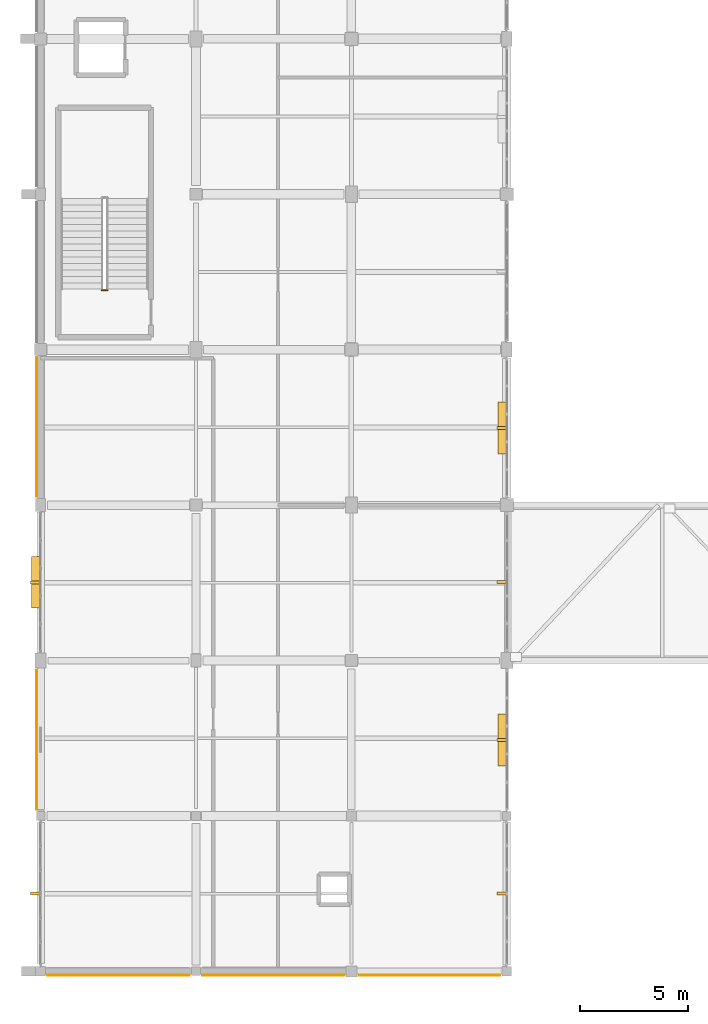
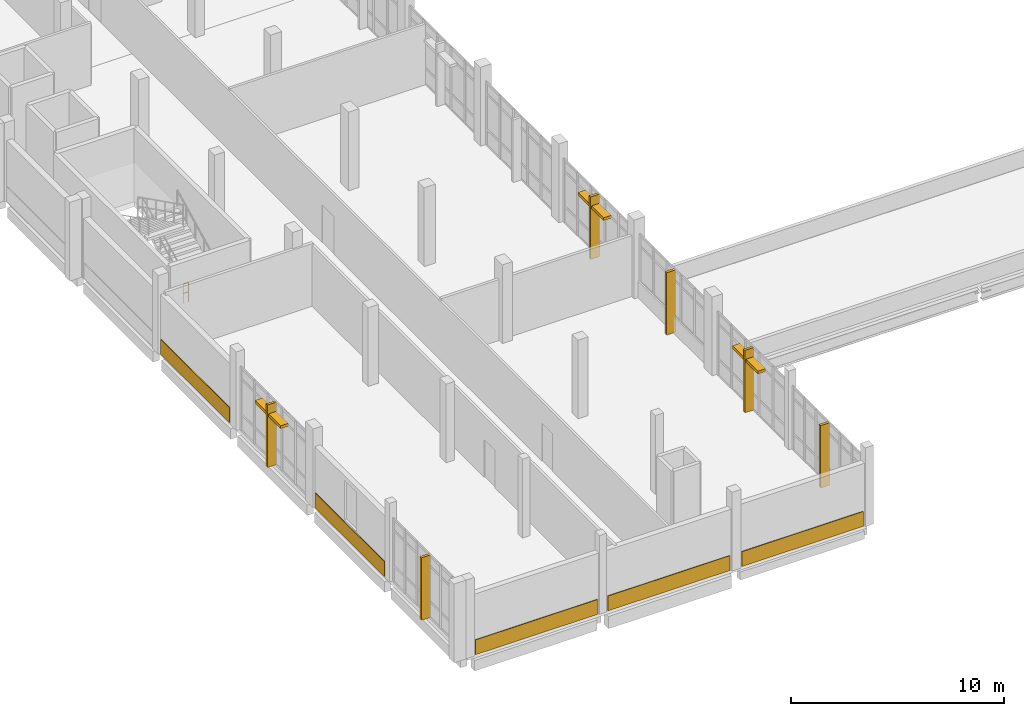
# One storey, part 80 of 87: 9 shading devices, 5 coverings, 1 railing.
"""IFC4 building model written with IfcOpenShell, lengths in metres."""

from ifc_helpers import new_model, si_unit, direction, frame, origin, origin_2d, place, context, subcontext, project, spatial, rectangle, circle, extrude, material, layer, layer_set, type_object, element, save


model = new_model("IFC4")

# Units and contexts
model_context = context("Model", 3, precision=1e-05, world=origin(), true_north=direction((0.0, 1.0)))
body_context = subcontext(model_context, "Body", "Model", "MODEL_VIEW")
ifc_project = project(units=[si_unit("LENGTHUNIT", "METRE"), si_unit("AREAUNIT", "SQUARE_METRE"), si_unit("VOLUMEUNIT", "CUBIC_METRE"), si_unit("PLANEANGLEUNIT", "RADIAN"), si_unit("MASSUNIT", "GRAM", prefix="KILO")], contexts=[model_context])

# Site, building, storey
site_placement = place(None, origin())
site = spatial("IfcSite", under=ifc_project, at=site_placement, CompositionType="ELEMENT")
building_placement = place(site_placement, origin())
building = spatial("IfcBuilding", under=site, at=building_placement, Name="Kalluvel Institute of Natural Sciences", CompositionType="ELEMENT")
storey_placement = place(building_placement, frame((0.0, 0.0, 18.89990234375)))
storey = spatial("IfcBuildingStorey", under=building, at=storey_placement, Name="L04", CompositionType="ELEMENT", Elevation=18.89990234375)

# Coverings
ifc_material_1 = material(Name="Sadarahalli Grey Granite Ashlar Concrete M40", Category="masonry")
ifc_layer = layer(ifc_material_1, 0.044921875)
ifc_layer_set = layer_set([ifc_layer], Name="Sadarahalli Grey Granite Ashlar Concrete M40")
covering_type = type_object("IfcCoveringType", Name="COV-CLAD-STONE", PredefinedType="CLADDING", material=ifc_layer_set)
covering_1_placement = place(storey_placement, frame((13.830078125, 24.72509765625, 0.025146484375), z_axis=(0.0, 0.0, 1.0), x_axis=(0.0, 1.0, 0.0)))
element("IfcCovering", 1, at=covering_1_placement, inside=storey, type_object=covering_type, Name="L04 Sadarahalli granite plinth spandrel cladding 171", PredefinedType="CLADDING", context=body_context, shape_type="SweptSolid", body=[
    extrude(rectangle(XDim=6.489990234375, YDim=0.044921875, at=origin_2d()), origin(), (0.0, 0.0, 1.0), 0.85009765625),
])
covering_2_placement = place(storey_placement, frame((13.830078125, 39.21240234375, 0.025146484375), z_axis=(0.0, 0.0, 1.0), x_axis=(0.0, 1.0, 0.0)))
element("IfcCovering", 2, at=covering_2_placement, inside=storey, type_object=covering_type, Name="L04 Sadarahalli granite plinth spandrel cladding 172", PredefinedType="CLADDING", context=body_context, shape_type="SweptSolid", body=[
    extrude(rectangle(XDim=6.465087890625, YDim=0.044921875, at=origin_2d()), origin(), (0.0, 0.0, 1.0), 0.85009765625),
])
covering_3_placement = place(storey_placement, frame((17.612548828125, 13.830078125, 0.025146484375), z_axis=(0.0, 0.0, 1.0), x_axis=(1.0, 0.0, 0.0)))
element("IfcCovering", 3, at=covering_3_placement, inside=storey, type_object=covering_type, Name="L04 Sadarahalli granite plinth spandrel cladding 179", PredefinedType="CLADDING", context=body_context, shape_type="SweptSolid", body=[
    extrude(rectangle(XDim=6.614990234375, YDim=0.044921875, at=origin_2d()), origin(), (0.0, 0.0, 1.0), 0.85009765625),
])
covering_4_placement = place(storey_placement, frame((24.77490234375, 13.830078125, 0.025146484375), z_axis=(0.0, 0.0, 1.0), x_axis=(1.0, 0.0, 0.0)))
element("IfcCovering", 4, at=covering_4_placement, inside=storey, type_object=covering_type, Name="L04 Sadarahalli granite plinth spandrel cladding 180", PredefinedType="CLADDING", context=body_context, shape_type="SweptSolid", body=[
    extrude(rectangle(XDim=6.590087890625, YDim=0.044921875, at=origin_2d()), origin(), (0.0, 0.0, 1.0), 0.85009765625),
])
covering_5_placement = place(storey_placement, frame((32.012451171875, 13.830078125, 0.025146484375), z_axis=(0.0, 0.0, 1.0), x_axis=(1.0, 0.0, 0.0)))
element("IfcCovering", 5, at=covering_5_placement, inside=storey, type_object=covering_type, Name="L04 Sadarahalli granite plinth spandrel cladding 181", PredefinedType="CLADDING", context=body_context, shape_type="SweptSolid", body=[
    extrude(rectangle(XDim=6.56494140625, YDim=0.044921875, at=origin_2d()), origin(), (0.0, 0.0, 1.0), 0.85009765625),
])

# Railing
ifc_material_2 = material(Name="Galvanized Fire-Rated Steel", Category="steel")
railing_type = type_object("IfcRailingType", Name="RL-GD-STAIR", PredefinedType="BALUSTRADE", material=ifc_material_2)
railing_placement = place(storey_placement, frame((17.10498046875, 45.550048828125, 0.0)))
element("IfcRailing", 6, at=railing_placement, inside=storey, type_object=railing_type, Name="L04 ST4 stair guard 4", PredefinedType="BALUSTRADE", context=body_context, shape_type="SweptSolid", body=[
    extrude(circle(Radius=0.02392578125, at=origin_2d()), frame((0.0, 0.0, 1.09619140625), z_axis=(-1.0, 0.0, 0.0), x_axis=(0.0, -1.0, 0.0)), (0.0, 0.0, 1.0), 0.280029296875),
    extrude(circle(Radius=0.02392578125, at=origin_2d()), frame((0.0, 0.0, 0.56005859375), z_axis=(-1.0, 0.0, 0.0), x_axis=(0.0, -1.0, 0.0)), (0.0, 0.0, 1.0), 0.280029296875),
    extrude(circle(Radius=0.02099609375, at=origin_2d()), origin(), (0.0, 0.0, 1.0), 1.072021484375),
    extrude(circle(Radius=0.02099609375, at=origin_2d()), frame((-0.280029296875, 0.0, 0.0)), (0.0, 0.0, 1.0), 1.072021484375),
])

# Shading devices
shading_device_type_1 = type_object("IfcShadingDeviceType", Name="SHD-FIN-STONE", PredefinedType="USERDEFINED", material=ifc_material_1)
for number, where, z_axis, x_axis, name in (
    (7, (13.780029296875, 17.612548828125, 0.0), (0.0, 0.0, 1.0), (0.0, 1.0, 0.0), "L04 monsoon lancet shading fin 164"),
    (8, (13.780029296875, 32.02490234375, 0.0), (0.0, 0.0, 1.0), (0.0, 1.0, 0.0), "L04 monsoon lancet shading fin 165"),
    (9, (35.3798828125, 17.612548828125, 0.0), (0.0, 0.0, 1.0), (0.0, 1.0, 0.0), "L04 monsoon lancet shading fin 170"),
    (10, (35.3798828125, 24.71240234375, 0.0), (0.0, 0.0, 1.0), (0.0, 1.0, 0.0), "L04 monsoon lancet shading fin 171"),
    (11, (35.3798828125, 32.03759765625, 0.0), (0.0, 0.0, 1.0), (0.0, 1.0, 0.0), "L04 monsoon lancet shading fin 173"),
    (12, (35.3798828125, 39.175048828125, 0.0), (0.0, 0.0, 1.0), (0.0, 1.0, 0.0), "L04 monsoon lancet shading fin 174"),
):
    element("IfcShadingDevice", number, at=place(storey_placement, frame(where, z_axis=z_axis, x_axis=x_axis)), inside=storey, type_object=shading_device_type_1, Name=name, ObjectType="MONSOON FIN", PredefinedType="USERDEFINED", context=body_context, shape_type="SweptSolid", body=[
        extrude(rectangle(XDim=0.139892578125, YDim=0.47998046875, at=origin_2d()), origin(), (0.0, 0.0, 1.0), 3.570068359375),
    ])
ifc_material_3 = material(Name="Aluminium AW-6063 T6", Category="aluminium")
shading_device_type_2 = type_object("IfcShadingDeviceType", Name="SHD-LOUV-ALU", PredefinedType="JALOUSIE", material=ifc_material_3)
for number, where, z_axis, x_axis, name in (
    (13, (13.800048828125, 32.02490234375, 2.89013671875), (0.0, 0.0, 1.0), (0.0, 1.0, 0.0), "L04 aluminium sun-shading louvre 166"),
    (14, (35.39990234375, 24.71240234375, 2.89013671875), (0.0, 0.0, 1.0), (0.0, 1.0, 0.0), "L04 aluminium sun-shading louvre 172"),
    (15, (35.39990234375, 39.175048828125, 2.89013671875), (0.0, 0.0, 1.0), (0.0, 1.0, 0.0), "L04 aluminium sun-shading louvre 175"),
):
    element("IfcShadingDevice", number, at=place(storey_placement, frame(where, z_axis=z_axis, x_axis=x_axis)), inside=storey, type_object=shading_device_type_2, Name=name, PredefinedType="JALOUSIE", context=body_context, shape_type="SweptSolid", body=[
        extrude(rectangle(XDim=2.39990234375, YDim=0.419921875, at=origin_2d()), origin(), (0.0, 0.0, 1.0), 0.159912109375),
    ])

save(model, "model.ifc")
